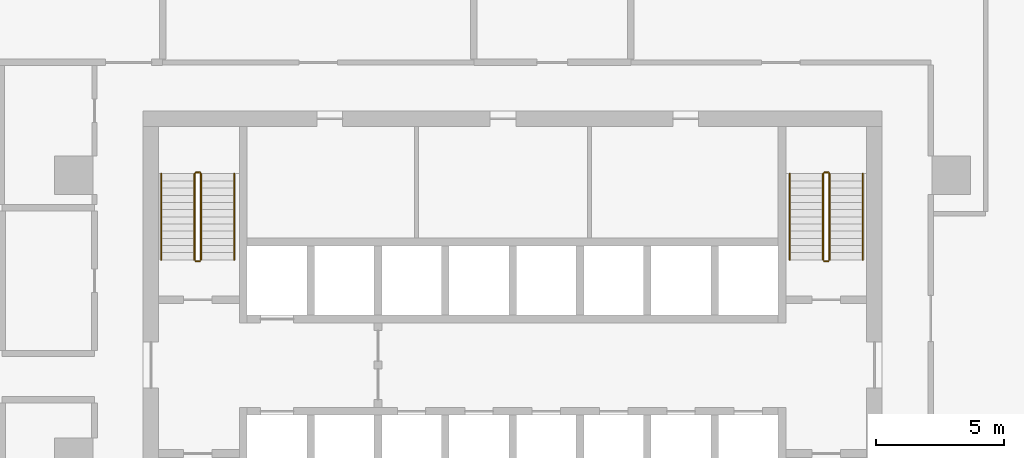
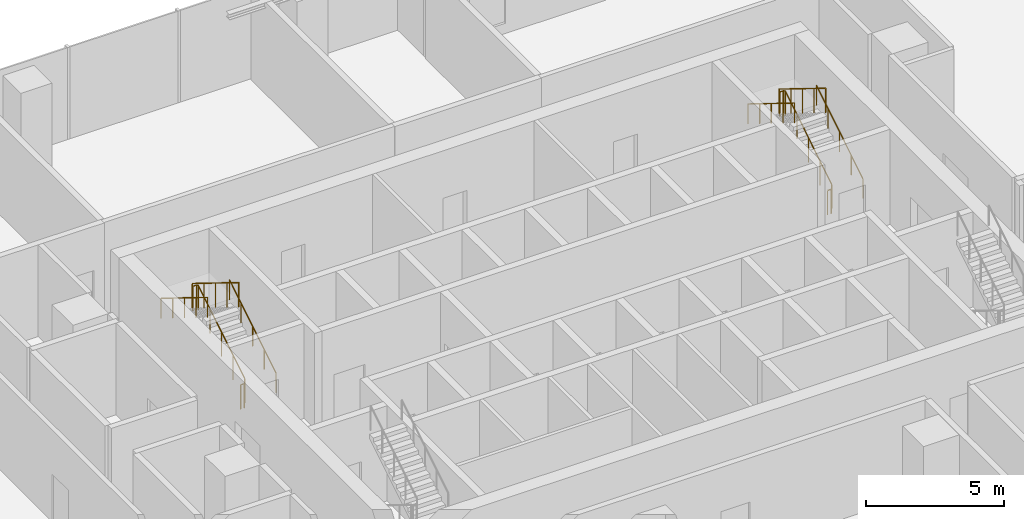
# One storey, part 14 of 15: 10 railings.
"""IFC4 building model written with IfcOpenShell, lengths in metres."""

from ifc_helpers import new_model, si_unit, direction, frame, origin, origin_2d, place, context, subcontext, project, spatial, circle, extrude, material, type_object, element, save


model = new_model("IFC4")

# Units and contexts
model_context = context("Model", 3, precision=1e-05, world=origin(), true_north=direction((0.0, 1.0)))
body_context = subcontext(model_context, "Body", "Model", "MODEL_VIEW")
ifc_project = project(units=[si_unit("LENGTHUNIT", "METRE"), si_unit("AREAUNIT", "SQUARE_METRE"), si_unit("VOLUMEUNIT", "CUBIC_METRE"), si_unit("PLANEANGLEUNIT", "RADIAN"), si_unit("MASSUNIT", "GRAM", prefix="KILO")], contexts=[model_context])

# Site, building, storey
site_placement = place(None, origin())
site = spatial("IfcSite", under=ifc_project, at=site_placement, CompositionType="ELEMENT")
building_placement = place(site_placement, origin())
building = spatial("IfcBuilding", under=site, at=building_placement, Name="Mopane Tessera Tower", CompositionType="ELEMENT")
storey_placement = place(building_placement, frame((0.0, 0.0, 117.10009765625)))
storey = spatial("IfcBuildingStorey", under=building, at=storey_placement, Name="L23", CompositionType="ELEMENT", Elevation=117.10009765625)

# Railings
ifc_material_1 = material(Name="Powder-coated steel balustrade", Category="steel")
railing_type_1 = type_object("IfcRailingType", Name="Escape stair guard 1100 mm", PredefinedType="GUARDRAIL", material=ifc_material_1)
railing_1_placement = place(storey_placement, frame((-12.14990234375, 7.699951171875, 0.173095703125)))
element("IfcRailing", 1, at=railing_1_placement, inside=storey, type_object=railing_type_1, Name="L23 ST2 stair guard 1", PredefinedType="GUARDRAIL", context=body_context, shape_type="SweptSolid", body=[
    extrude(circle(Radius=0.02392578125, at=origin_2d()), frame((0.0, 0.0, 1.076171875), z_axis=(0.0, 0.850623216509, 0.525775754039), x_axis=(-1.0, 0.0, 0.0)), (0.0, 0.0, 1.0), 3.9501953125),
    extrude(circle(Radius=0.02392578125, at=origin_2d()), frame((0.0, 3.360107421875, 3.15283203125), z_axis=(-0.707106781187, 0.707106781187, 0.0), x_axis=(-0.707106781187, -0.707106781187, 0.0)), (0.0, 0.0, 1.0), 0.07080078125),
    extrude(circle(Radius=0.02392578125, at=origin_2d()), frame((-0.050048828125, 3.41015625, 3.15283203125), z_axis=(-1.0, 0.0, 0.0), x_axis=(0.0, -1.0, 0.0)), (0.0, 0.0, 1.0), 0.150146484375),
    extrude(circle(Radius=0.02099609375, at=origin_2d()), origin(), (0.0, 0.0, 1.0), 1.052001953125),
    extrude(circle(Radius=0.02099609375, at=origin_2d()), frame((0.0, 0.840087890625, 0.519287109375)), (0.0, 0.0, 1.0), 1.052001953125),
    extrude(circle(Radius=0.02099609375, at=origin_2d()), frame((0.0, 1.68017578125, 1.03857421875)), (0.0, 0.0, 1.0), 1.052001953125),
    extrude(circle(Radius=0.02099609375, at=origin_2d()), frame((0.0, 2.52001953125, 1.5576171875)), (0.0, 0.0, 1.0), 1.052001953125),
    extrude(circle(Radius=0.02099609375, at=origin_2d()), frame((0.0, 3.360107421875, 2.076904296875)), (0.0, 0.0, 1.0), 1.052001953125),
    extrude(circle(Radius=0.02099609375, at=origin_2d()), frame((-0.050048828125, 3.41015625, 2.076904296875)), (0.0, 0.0, 1.0), 1.052001953125),
    extrude(circle(Radius=0.02099609375, at=origin_2d()), frame((-0.2001953125, 3.41015625, 2.076904296875)), (0.0, 0.0, 1.0), 1.052001953125),
])
railing_2_placement = place(storey_placement, frame((-12.39990234375, 11.06005859375, 2.423095703125)))
element("IfcRailing", 2, at=railing_2_placement, inside=storey, type_object=railing_type_1, Name="L23 ST2 stair guard 2", PredefinedType="GUARDRAIL", context=body_context, shape_type="SweptSolid", body=[
    extrude(circle(Radius=0.02392578125, at=origin_2d()), frame((0.0, 0.0, 1.076171875), z_axis=(0.0, -0.850623216509, 0.525775754039), x_axis=(1.0, 0.0, 0.0)), (0.0, 0.0, 1.0), 3.9501953125),
    extrude(circle(Radius=0.02099609375, at=origin_2d()), origin(), (0.0, 0.0, 1.0), 1.052001953125),
    extrude(circle(Radius=0.02099609375, at=origin_2d()), frame((0.0, -0.840087890625, 0.519287109375)), (0.0, 0.0, 1.0), 1.052001953125),
    extrude(circle(Radius=0.02099609375, at=origin_2d()), frame((0.0, -1.68017578125, 1.03857421875)), (0.0, 0.0, 1.0), 1.052001953125),
    extrude(circle(Radius=0.02099609375, at=origin_2d()), frame((0.0, -2.52001953125, 1.5576171875)), (0.0, 0.0, 1.0), 1.052001953125),
    extrude(circle(Radius=0.02099609375, at=origin_2d()), frame((0.0, -3.360107421875, 2.076904296875)), (0.0, 0.0, 1.0), 1.052001953125),
])
railing_3_placement = place(storey_placement, frame((-12.199951171875, 7.64990234375, 0.0)))
element("IfcRailing", 3, at=railing_3_placement, inside=storey, type_object=railing_type_1, Name="L23 ST2 stair guard 3", PredefinedType="GUARDRAIL", context=body_context, shape_type="SweptSolid", body=[
    extrude(circle(Radius=0.02392578125, at=origin_2d()), frame((0.0, 0.0, 1.076171875), z_axis=(-1.0, 0.0, 0.0), x_axis=(0.0, -1.0, 0.0)), (0.0, 0.0, 1.0), 0.150146484375),
    extrude(circle(Radius=0.02099609375, at=origin_2d()), origin(), (0.0, 0.0, 1.0), 1.052001953125),
    extrude(circle(Radius=0.02099609375, at=origin_2d()), frame((-0.150146484375, 0.0, 0.0)), (0.0, 0.0, 1.0), 1.052001953125),
])
railing_4_placement = place(storey_placement, frame((12.35009765625, 7.699951171875, 0.173095703125)))
element("IfcRailing", 4, at=railing_4_placement, inside=storey, type_object=railing_type_1, Name="L23 ST4 stair guard 1", PredefinedType="GUARDRAIL", context=body_context, shape_type="SweptSolid", body=[
    extrude(circle(Radius=0.02392578125, at=origin_2d()), frame((0.0, 0.0, 1.076171875), z_axis=(0.0, 0.850623216509, 0.525775754039), x_axis=(-1.0, 0.0, 0.0)), (0.0, 0.0, 1.0), 3.9501953125),
    extrude(circle(Radius=0.02392578125, at=origin_2d()), frame((0.0, 3.360107421875, 3.15283203125), z_axis=(-0.707106781187, 0.707106781187, 0.0), x_axis=(-0.707106781187, -0.707106781187, 0.0)), (0.0, 0.0, 1.0), 0.07080078125),
    extrude(circle(Radius=0.02392578125, at=origin_2d()), frame((-0.050048828125, 3.41015625, 3.15283203125), z_axis=(-1.0, 0.0, 0.0), x_axis=(0.0, -1.0, 0.0)), (0.0, 0.0, 1.0), 0.150146484375),
    extrude(circle(Radius=0.02099609375, at=origin_2d()), origin(), (0.0, 0.0, 1.0), 1.052001953125),
    extrude(circle(Radius=0.02099609375, at=origin_2d()), frame((0.0, 0.840087890625, 0.519287109375)), (0.0, 0.0, 1.0), 1.052001953125),
    extrude(circle(Radius=0.02099609375, at=origin_2d()), frame((0.0, 1.68017578125, 1.03857421875)), (0.0, 0.0, 1.0), 1.052001953125),
    extrude(circle(Radius=0.02099609375, at=origin_2d()), frame((0.0, 2.52001953125, 1.5576171875)), (0.0, 0.0, 1.0), 1.052001953125),
    extrude(circle(Radius=0.02099609375, at=origin_2d()), frame((0.0, 3.360107421875, 2.076904296875)), (0.0, 0.0, 1.0), 1.052001953125),
    extrude(circle(Radius=0.02099609375, at=origin_2d()), frame((-0.050048828125, 3.41015625, 2.076904296875)), (0.0, 0.0, 1.0), 1.052001953125),
    extrude(circle(Radius=0.02099609375, at=origin_2d()), frame((-0.2001953125, 3.41015625, 2.076904296875)), (0.0, 0.0, 1.0), 1.052001953125),
])
railing_5_placement = place(storey_placement, frame((12.10009765625, 11.06005859375, 2.423095703125)))
element("IfcRailing", 5, at=railing_5_placement, inside=storey, type_object=railing_type_1, Name="L23 ST4 stair guard 2", PredefinedType="GUARDRAIL", context=body_context, shape_type="SweptSolid", body=[
    extrude(circle(Radius=0.02392578125, at=origin_2d()), frame((0.0, 0.0, 1.076171875), z_axis=(0.0, -0.850623216509, 0.525775754039), x_axis=(1.0, 0.0, 0.0)), (0.0, 0.0, 1.0), 3.9501953125),
    extrude(circle(Radius=0.02099609375, at=origin_2d()), origin(), (0.0, 0.0, 1.0), 1.052001953125),
    extrude(circle(Radius=0.02099609375, at=origin_2d()), frame((0.0, -0.840087890625, 0.519287109375)), (0.0, 0.0, 1.0), 1.052001953125),
    extrude(circle(Radius=0.02099609375, at=origin_2d()), frame((0.0, -1.68017578125, 1.03857421875)), (0.0, 0.0, 1.0), 1.052001953125),
    extrude(circle(Radius=0.02099609375, at=origin_2d()), frame((0.0, -2.52001953125, 1.5576171875)), (0.0, 0.0, 1.0), 1.052001953125),
    extrude(circle(Radius=0.02099609375, at=origin_2d()), frame((0.0, -3.360107421875, 2.076904296875)), (0.0, 0.0, 1.0), 1.052001953125),
])
railing_6_placement = place(storey_placement, frame((12.300048828125, 7.64990234375, 0.0)))
element("IfcRailing", 6, at=railing_6_placement, inside=storey, type_object=railing_type_1, Name="L23 ST4 stair guard 3", PredefinedType="GUARDRAIL", context=body_context, shape_type="SweptSolid", body=[
    extrude(circle(Radius=0.02392578125, at=origin_2d()), frame((0.0, 0.0, 1.076171875), z_axis=(-1.0, 0.0, 0.0), x_axis=(0.0, -1.0, 0.0)), (0.0, 0.0, 1.0), 0.150146484375),
    extrude(circle(Radius=0.02099609375, at=origin_2d()), origin(), (0.0, 0.0, 1.0), 1.052001953125),
    extrude(circle(Radius=0.02099609375, at=origin_2d()), frame((-0.150146484375, 0.0, 0.0)), (0.0, 0.0, 1.0), 1.052001953125),
])
ifc_material_2 = material(Name="Powder-coated steel balustrade", Category="steel")
railing_type_2 = type_object("IfcRailingType", Name="Escape stair handrail 900 mm", PredefinedType="HANDRAIL", material=ifc_material_2)
railing_7_placement = place(storey_placement, frame((-10.85009765625, 7.699951171875, 0.173095703125)))
element("IfcRailing", 7, at=railing_7_placement, inside=storey, type_object=railing_type_2, Name="L23 ST2 stair handrail 1", PredefinedType="HANDRAIL", context=body_context, shape_type="SweptSolid", body=[
    extrude(circle(Radius=0.02392578125, at=origin_2d()), frame((0.0, 0.0, 0.8759765625), z_axis=(0.0, 0.850623216509, 0.525775754039), x_axis=(-1.0, 0.0, 0.0)), (0.0, 0.0, 1.0), 3.9501953125),
    extrude(circle(Radius=0.02099609375, at=origin_2d()), origin(), (0.0, 0.0, 1.0), 0.851806640625),
    extrude(circle(Radius=0.02099609375, at=origin_2d()), frame((0.0, 0.840087890625, 0.519287109375)), (0.0, 0.0, 1.0), 0.851806640625),
    extrude(circle(Radius=0.02099609375, at=origin_2d()), frame((0.0, 1.68017578125, 1.03857421875)), (0.0, 0.0, 1.0), 0.851806640625),
    extrude(circle(Radius=0.02099609375, at=origin_2d()), frame((0.0, 2.52001953125, 1.5576171875)), (0.0, 0.0, 1.0), 0.851806640625),
    extrude(circle(Radius=0.02099609375, at=origin_2d()), frame((0.0, 3.360107421875, 2.076904296875)), (0.0, 0.0, 1.0), 0.851806640625),
])
railing_8_placement = place(storey_placement, frame((-13.699951171875, 11.06005859375, 2.423095703125)))
element("IfcRailing", 8, at=railing_8_placement, inside=storey, type_object=railing_type_2, Name="L23 ST2 stair handrail 2", PredefinedType="HANDRAIL", context=body_context, shape_type="SweptSolid", body=[
    extrude(circle(Radius=0.02392578125, at=origin_2d()), frame((0.0, 0.0, 0.8759765625), z_axis=(0.0, -0.850623216509, 0.525775754039), x_axis=(1.0, 0.0, 0.0)), (0.0, 0.0, 1.0), 3.9501953125),
    extrude(circle(Radius=0.02099609375, at=origin_2d()), origin(), (0.0, 0.0, 1.0), 0.851806640625),
    extrude(circle(Radius=0.02099609375, at=origin_2d()), frame((0.0, -0.840087890625, 0.519287109375)), (0.0, 0.0, 1.0), 0.851806640625),
    extrude(circle(Radius=0.02099609375, at=origin_2d()), frame((0.0, -1.68017578125, 1.03857421875)), (0.0, 0.0, 1.0), 0.851806640625),
    extrude(circle(Radius=0.02099609375, at=origin_2d()), frame((0.0, -2.52001953125, 1.5576171875)), (0.0, 0.0, 1.0), 0.851806640625),
    extrude(circle(Radius=0.02099609375, at=origin_2d()), frame((0.0, -3.360107421875, 2.076904296875)), (0.0, 0.0, 1.0), 0.851806640625),
])
railing_9_placement = place(storey_placement, frame((13.64990234375, 7.699951171875, 0.173095703125)))
element("IfcRailing", 9, at=railing_9_placement, inside=storey, type_object=railing_type_2, Name="L23 ST4 stair handrail 1", PredefinedType="HANDRAIL", context=body_context, shape_type="SweptSolid", body=[
    extrude(circle(Radius=0.02392578125, at=origin_2d()), frame((0.0, 0.0, 0.8759765625), z_axis=(0.0, 0.850623216509, 0.525775754039), x_axis=(-1.0, 0.0, 0.0)), (0.0, 0.0, 1.0), 3.9501953125),
    extrude(circle(Radius=0.02099609375, at=origin_2d()), origin(), (0.0, 0.0, 1.0), 0.851806640625),
    extrude(circle(Radius=0.02099609375, at=origin_2d()), frame((0.0, 0.840087890625, 0.519287109375)), (0.0, 0.0, 1.0), 0.851806640625),
    extrude(circle(Radius=0.02099609375, at=origin_2d()), frame((0.0, 1.68017578125, 1.03857421875)), (0.0, 0.0, 1.0), 0.851806640625),
    extrude(circle(Radius=0.02099609375, at=origin_2d()), frame((0.0, 2.52001953125, 1.5576171875)), (0.0, 0.0, 1.0), 0.851806640625),
    extrude(circle(Radius=0.02099609375, at=origin_2d()), frame((0.0, 3.360107421875, 2.076904296875)), (0.0, 0.0, 1.0), 0.851806640625),
])
railing_10_placement = place(storey_placement, frame((10.800048828125, 11.06005859375, 2.423095703125)))
element("IfcRailing", 10, at=railing_10_placement, inside=storey, type_object=railing_type_2, Name="L23 ST4 stair handrail 2", PredefinedType="HANDRAIL", context=body_context, shape_type="SweptSolid", body=[
    extrude(circle(Radius=0.02392578125, at=origin_2d()), frame((0.0, 0.0, 0.8759765625), z_axis=(0.0, -0.850623216509, 0.525775754039), x_axis=(1.0, 0.0, 0.0)), (0.0, 0.0, 1.0), 3.9501953125),
    extrude(circle(Radius=0.02099609375, at=origin_2d()), origin(), (0.0, 0.0, 1.0), 0.851806640625),
    extrude(circle(Radius=0.02099609375, at=origin_2d()), frame((0.0, -0.840087890625, 0.519287109375)), (0.0, 0.0, 1.0), 0.851806640625),
    extrude(circle(Radius=0.02099609375, at=origin_2d()), frame((0.0, -1.68017578125, 1.03857421875)), (0.0, 0.0, 1.0), 0.851806640625),
    extrude(circle(Radius=0.02099609375, at=origin_2d()), frame((0.0, -2.52001953125, 1.5576171875)), (0.0, 0.0, 1.0), 0.851806640625),
    extrude(circle(Radius=0.02099609375, at=origin_2d()), frame((0.0, -3.360107421875, 2.076904296875)), (0.0, 0.0, 1.0), 0.851806640625),
])

save(model, "model.ifc")
